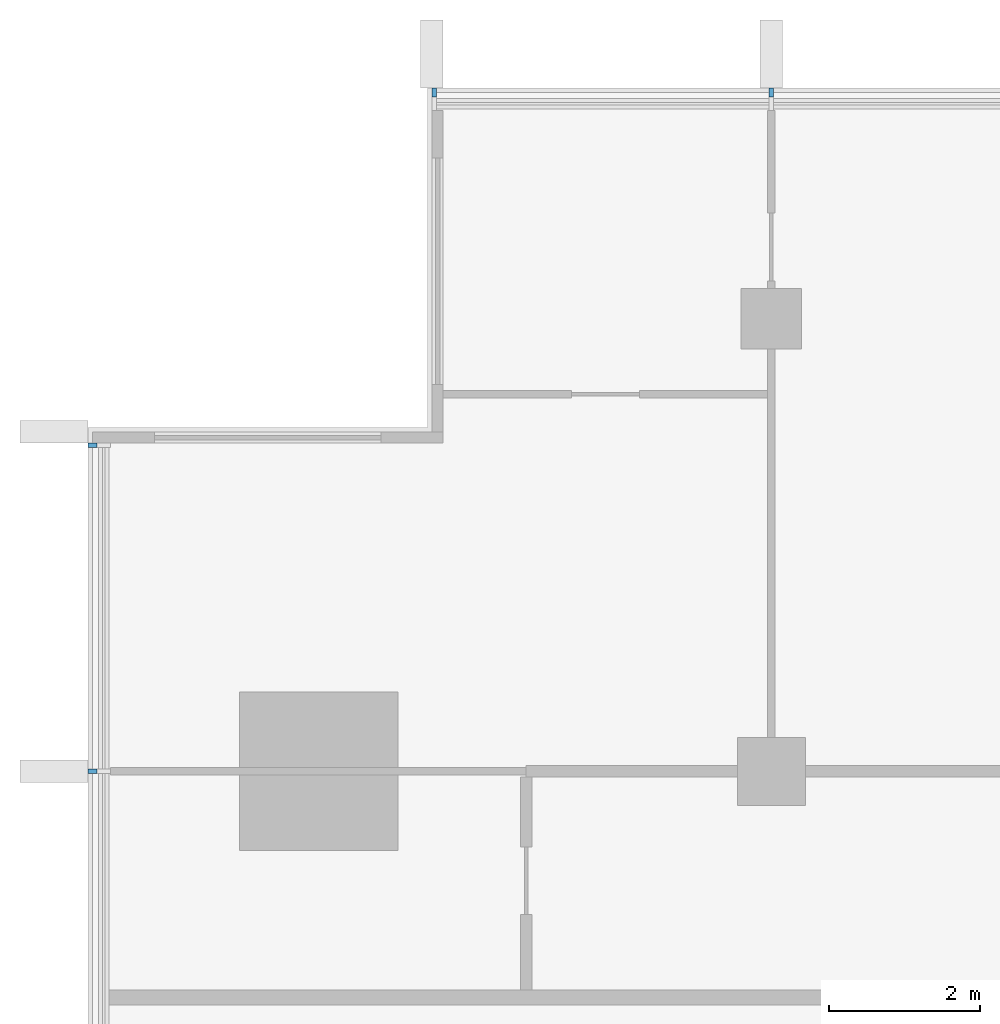
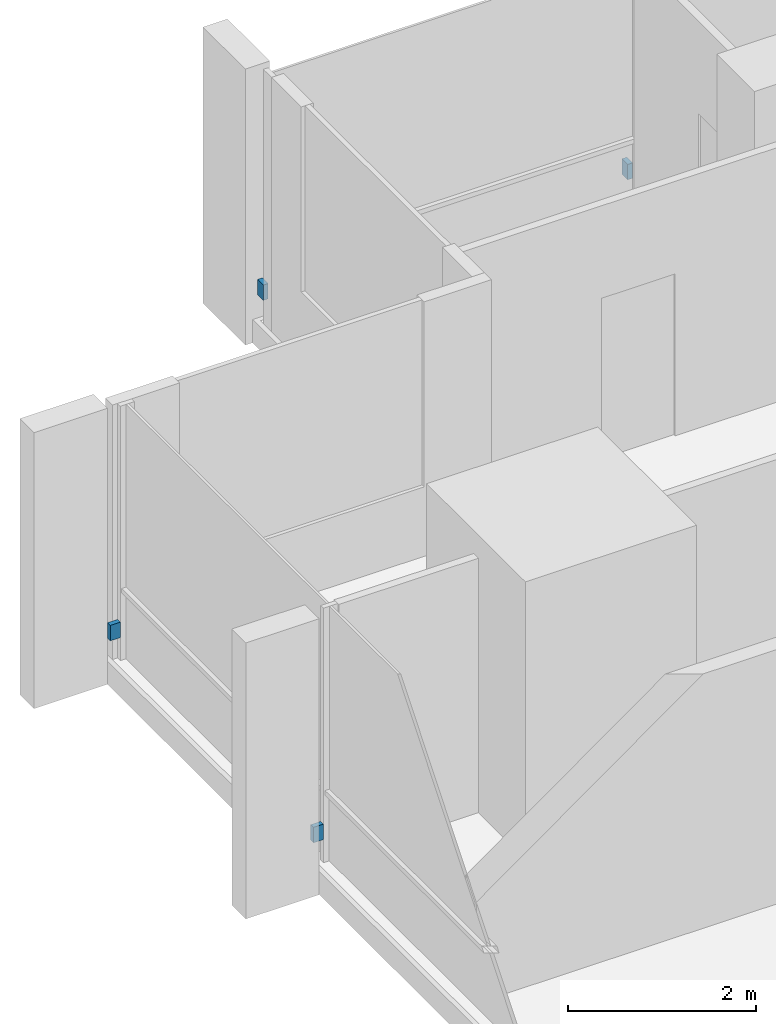
# One storey, part 14 of 16: 4 discrete accessories.
"""IFC4 building model written with IfcOpenShell, lengths in metres."""

import ifcopenshell
import ifcopenshell.guid

model = None  # the IFC model being written
_history = None  # IfcOwnerHistory: only IFC2X3 demands one
_inside = {}  # id of a spatial element -> (the spatial element, [elements in it])
_under = {}  # id of a project, library or spatial element -> (it, [spatial elements below it])
_declared = {}  # id of a project -> (the project, [libraries it declares])
_typed = {}  # id of a type object -> (the type object, [elements of that type])
_made_of = {}  # id of a material, layer set ... -> (it, [elements and type objects made of it])


def new_model(schema):
    """Start an empty IFC model of exactly this schema.

    Asked for "IFC4X3", IfcOpenShell would pick the latest addendum, in which some entities
    have other attributes; the version numbers below select the first issue.
    IFC2X3 requires an IfcOwnerHistory on every rooted entity: one is made here for all.
    """
    global model, _history
    if schema == "IFC4X3":
        model = ifcopenshell.file(schema_version=(4, 3, 0, 0))
    else:
        model = ifcopenshell.file(schema=schema)
    _inside.clear()
    _under.clear()
    _declared.clear()
    _typed.clear()
    _made_of.clear()
    _history = None
    if model.schema == "IFC2X3":
        org = make("IfcOrganization", Name="unknown")
        user = make(
            "IfcPersonAndOrganization",
            ThePerson=make("IfcPerson", FamilyName="unknown"),
            TheOrganization=org,
        )
        app = make(
            "IfcApplication",
            ApplicationDeveloper=org,
            Version="unknown",
            ApplicationFullName="unknown",
            ApplicationIdentifier="unknown",
        )
        _history = make(
            "IfcOwnerHistory",
            OwningUser=user,
            OwningApplication=app,
            ChangeAction="ADDED",
            CreationDate=0,
        )
    return model


def make(cls, **values):
    """One entity of the class cls with the attributes given. An attribute that is None is left unset."""
    return model.create_entity(
        cls, **{name: value for name, value in values.items() if value is not None}
    )


def rooted(cls, **values):
    """An entity with a GlobalId (a new one), such as an element, a storey or a relation."""
    return make(cls, GlobalId=ifcopenshell.guid.new(), OwnerHistory=_history, **values)


def si_unit(unit_type, name, prefix=None):
    """IfcSIUnit, for example si_unit("LENGTHUNIT", "METRE", prefix="MILLI")."""
    return make("IfcSIUnit", UnitType=unit_type, Prefix=prefix, Name=name)


def assignment(units):
    """IfcUnitAssignment: the units of a project."""
    return None if units is None else make("IfcUnitAssignment", Units=units)


def point(xyz):
    """IfcCartesianPoint."""
    return None if xyz is None else make("IfcCartesianPoint", Coordinates=xyz)


def direction(xyz):
    """IfcDirection."""
    return None if xyz is None else make("IfcDirection", DirectionRatios=xyz)


def frame(location, z_axis=None, x_axis=None):
    """IfcAxis2Placement3D, a coordinate frame: its origin and axes. An axis left out is left unset."""
    return make(
        "IfcAxis2Placement3D",
        Location=point(location),
        Axis=direction(z_axis),
        RefDirection=direction(x_axis),
    )


def frame_2d(location, x_axis=None):
    """IfcAxis2Placement2D, a coordinate frame in the plane: its origin and x axis."""
    return make(
        "IfcAxis2Placement2D", Location=point(location), RefDirection=direction(x_axis)
    )


def origin():
    """The frame at (0, 0, 0) with its axes left unset."""
    return frame((0.0, 0.0, 0.0))


def origin_2d():
    """The frame at (0, 0) in the plane with its x axis left unset."""
    return frame_2d((0.0, 0.0))


def place(relative_to, where):
    """IfcLocalPlacement: puts the frame where relative to a parent placement (None: the world)."""
    return make(
        "IfcLocalPlacement", PlacementRelTo=relative_to, RelativePlacement=where
    )


def context(
    kind, dimensions, precision=None, world=None, true_north=None, identifier=None
):
    """IfcGeometricRepresentationContext, for example the 3D "Model" context."""
    return make(
        "IfcGeometricRepresentationContext",
        ContextIdentifier=identifier,
        ContextType=kind,
        CoordinateSpaceDimension=dimensions,
        Precision=precision,
        WorldCoordinateSystem=world,
        TrueNorth=true_north,
    )


def subcontext(parent, identifier, kind, view, scale=None):
    """IfcGeometricRepresentationSubContext, for example "Body" below "Model"."""
    return make(
        "IfcGeometricRepresentationSubContext",
        ContextIdentifier=identifier,
        ContextType=kind,
        ParentContext=parent,
        TargetScale=scale,
        TargetView=view,
    )


def project(units=None, contexts=None):
    """IfcProject with its units and contexts."""
    return rooted(
        "IfcProject",
        Name="project",
        RepresentationContexts=contexts,
        UnitsInContext=assignment(units),
    )


def spatial(cls, under=None, at=None, **own):
    """A site, building, storey or space (cls), placed at a placement, below another one or the project."""
    s = rooted(cls, ObjectPlacement=at, **own)
    if under is not None:
        _under.setdefault(under.id(), (under, []))[1].append(s)
    return s


def profile(cls, at=None, kind="AREA", **sizes):
    """A parametric profile (cls). Its sizes go by their IFC names, for example OverallWidth=200.0."""
    return make(cls, ProfileType=kind, Position=at, **sizes)


def rectangle(**sizes):
    """IfcRectangleProfileDef."""
    return profile("IfcRectangleProfileDef", **sizes)


def extrude(swept, where, along, depth):
    """IfcExtrudedAreaSolid: the profile swept, set in the frame where, extruded along a direction by depth."""
    return make(
        "IfcExtrudedAreaSolid",
        SweptArea=swept,
        Position=where,
        ExtrudedDirection=direction(along),
        Depth=depth,
    )


def shape(context_of_items, identifier, shape_type, items):
    """IfcShapeRepresentation: the items that make up one representation, for example the "Body"."""
    return make(
        "IfcShapeRepresentation",
        ContextOfItems=context_of_items,
        RepresentationIdentifier=identifier,
        RepresentationType=shape_type,
        Items=items,
    )


def material(Name=None, Category=None):
    """IfcMaterial."""
    return make("IfcMaterial", Name=Name, Category=Category)


def made_of(thing, what):
    """Note that an element or type object is made of a material, layer set ...; save() writes the relation."""
    if what is not None:
        _made_of.setdefault(what.id(), (what, []))[1].append(thing)
    return thing


def type_object(cls, material=None, **own):
    """A type object (cls), such as IfcWallType, which elements share."""
    return made_of(rooted(cls, **own), material)


def element(
    cls,
    number,
    at=None,
    inside=None,
    cuts=None,
    type_object=None,
    material=None,
    context=None,
    identifier="Body",
    shape_type=None,
    held_by="IfcProductDefinitionShape",
    body=None,
    shapes=None,
    **own,
):
    """One element of the class cls, such as IfcWall. Its Tag is "e" and its number.

    at: its placement. inside: the storey or other place that contains it. cuts: it is an
    opening in that element (IfcRelVoidsElement). A single representation is given by context,
    identifier, shape_type and body (its items); several are given by shapes. held_by: the class
    of the entity that holds the representations. save() writes the other relations.
    """
    e = rooted(cls, Tag="e%d" % number, ObjectPlacement=at, **own)
    if body is not None:
        shapes = [shape(context, identifier, shape_type, body)]
    if shapes is not None:
        e.Representation = make(held_by, Representations=shapes)
    if inside is not None:
        _inside.setdefault(inside.id(), (inside, []))[1].append(e)
    if cuts is not None:
        rooted(
            "IfcRelVoidsElement", RelatingBuildingElement=cuts, RelatedOpeningElement=e
        )
    if type_object is not None:
        _typed.setdefault(type_object.id(), (type_object, []))[1].append(e)
    return made_of(e, material)


def aggregate(whole, parts):
    """IfcRelAggregates: a whole, such as a stair, and the parts it consists of."""
    return rooted("IfcRelAggregates", RelatingObject=whole, RelatedObjects=parts)


def save(model, path):
    """Write the relations noted so far, then the file.

    IfcRelAggregates (storeys below a building ...), IfcRelContainedInSpatialStructure (elements
    in a storey), IfcRelDefinesByType, IfcRelAssociatesMaterial and IfcRelDeclares: one each for
    every whole, place, type object, material and project.
    """
    for whole, parts in _under.values():
        aggregate(whole, parts)
    for where, things in _inside.values():
        rooted(
            "IfcRelContainedInSpatialStructure",
            RelatedElements=things,
            RelatingStructure=where,
        )
    for kind, things in _typed.values():
        rooted("IfcRelDefinesByType", RelatedObjects=things, RelatingType=kind)
    for what, things in _made_of.values():
        rooted("IfcRelAssociatesMaterial", RelatedObjects=things, RelatingMaterial=what)
    for by, libraries in _declared.values():
        rooted("IfcRelDeclares", RelatingContext=by, RelatedDefinitions=libraries)
    model.write(path)


model = new_model("IFC4")

# Units and contexts
model_context = context("Model", 3, precision=1e-05, world=origin(), true_north=direction((0.0, 1.0)))
body_context = subcontext(model_context, "Body", "Model", "MODEL_VIEW")
ifc_project = project(units=[si_unit("LENGTHUNIT", "METRE"), si_unit("AREAUNIT", "SQUARE_METRE"), si_unit("VOLUMEUNIT", "CUBIC_METRE"), si_unit("PLANEANGLEUNIT", "RADIAN"), si_unit("MASSUNIT", "GRAM", prefix="KILO")], contexts=[model_context])

# Site, building, storey
site_placement = place(None, origin())
site = spatial("IfcSite", under=ifc_project, at=site_placement, CompositionType="ELEMENT")
building_placement = place(site_placement, origin())
building = spatial("IfcBuilding", under=site, at=building_placement, Name="Finial Court Residences", CompositionType="ELEMENT")
storey_placement = place(building_placement, frame((0.0, 0.0, 241.10009765625)))
storey = spatial("IfcBuildingStorey", under=building, at=storey_placement, Name="L61", CompositionType="ELEMENT", Elevation=241.10009765625)

# Discrete accessories
ifc_material = material(Name="Stainless steel 316", Category="steel")
discrete_accessory_type = type_object("IfcDiscreteAccessoryType", Name="Fin bracket, stainless steel 60 x 122 x 200", PredefinedType="BRACKET", material=ifc_material)
for number, where, z_axis, x_axis, name in (
    (1, (-14.969970703125, 16.498779296875, 0.2998046875), (0.0, 0.0, 1.0), (1.0, 0.0, 0.0), "E-L61-FIN-N1-BRK"),
    (2, (-10.5, 16.498779296875, 0.2998046875), (0.0, 0.0, 1.0), (1.0, 0.0, 0.0), "E-L61-FIN-N2-BRK"),
):
    element("IfcDiscreteAccessory", number, at=place(storey_placement, frame(where, z_axis=z_axis, x_axis=x_axis)), inside=storey, type_object=discrete_accessory_type, Name=name, PredefinedType="BRACKET", context=body_context, shape_type="SweptSolid", body=[
        extrude(rectangle(XDim=0.06005859375, YDim=0.12255859375, at=origin_2d()), origin(), (0.0, 0.0, 1.0), 0.199951171875),
    ])
for number, where, z_axis, x_axis, name in (
    (3, (-19.498779296875, 7.5, 0.2998046875), (0.0, 0.0, 1.0), (1.0, 0.0, 0.0), "E-L61-FIN-W25-BRK"),
    (4, (-19.498779296875, 11.820068359375, 0.2998046875), (0.0, 0.0, 1.0), (1.0, 0.0, 0.0), "E-L61-FIN-W26-BRK"),
):
    element("IfcDiscreteAccessory", number, at=place(storey_placement, frame(where, z_axis=z_axis, x_axis=x_axis)), inside=storey, type_object=discrete_accessory_type, Name=name, PredefinedType="BRACKET", context=body_context, shape_type="SweptSolid", body=[
        extrude(rectangle(XDim=0.12255859375, YDim=0.06005859375, at=origin_2d()), origin(), (0.0, 0.0, 1.0), 0.199951171875),
    ])

save(model, "model.ifc")
